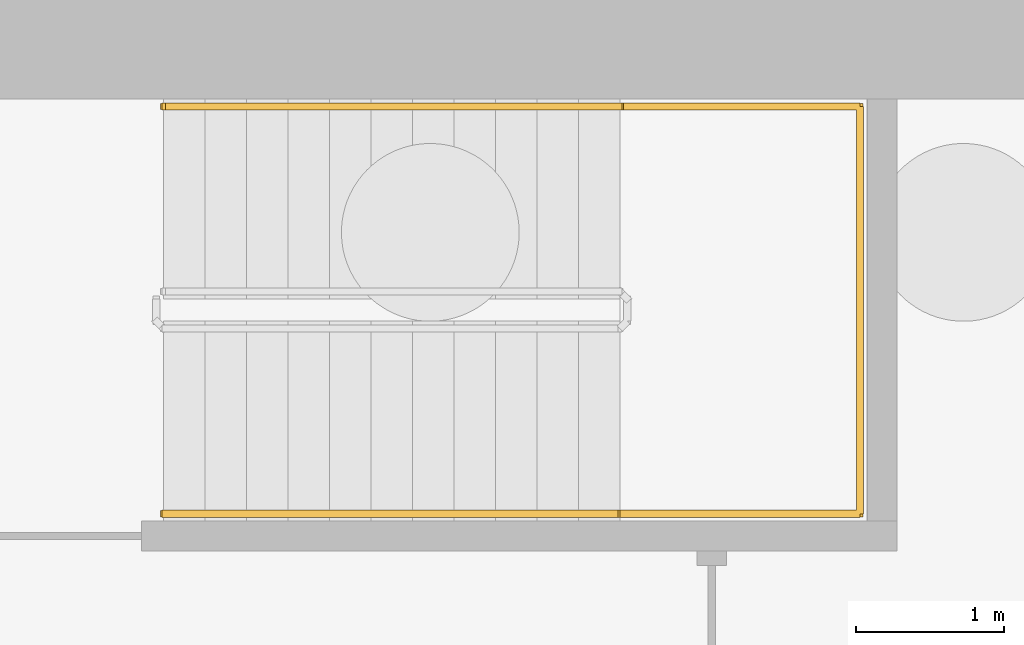
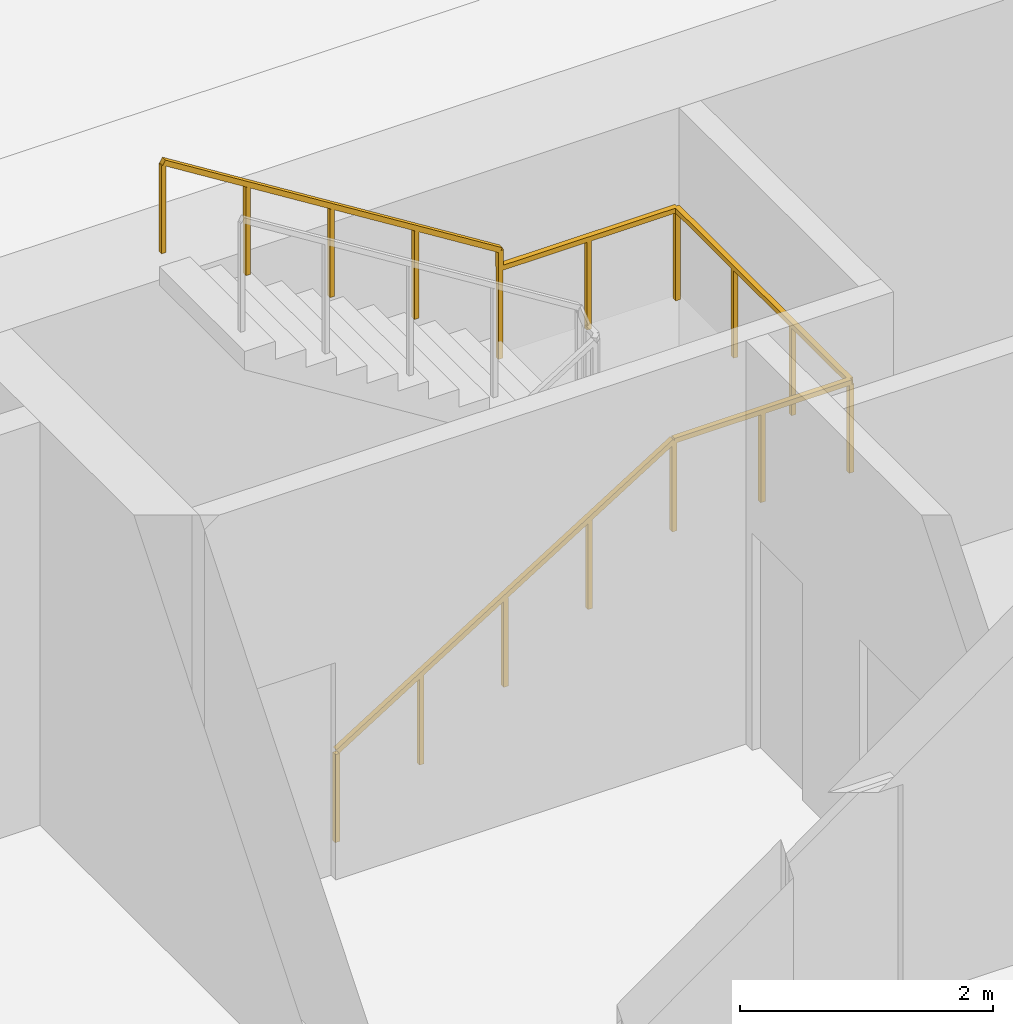
# One storey, part 10 of 11: 1 railing.
"""IFC4 building model written with IfcOpenShell, lengths in metres."""

from ifc_helpers import new_model, si_unit, direction, frame, origin, origin_2d, place, context, subcontext, project, spatial, rectangle, extrude, material, type_object, element, save


model = new_model("IFC4")

# Units and contexts
model_context = context("Model", 3, precision=1e-05, world=origin(), true_north=direction((0.0, 1.0)))
body_context = subcontext(model_context, "Body", "Model", "MODEL_VIEW")
ifc_project = project(units=[si_unit("LENGTHUNIT", "METRE"), si_unit("AREAUNIT", "SQUARE_METRE"), si_unit("VOLUMEUNIT", "CUBIC_METRE"), si_unit("PLANEANGLEUNIT", "RADIAN"), si_unit("MASSUNIT", "GRAM", prefix="KILO")], contexts=[model_context])

# Site, building, storey
site_placement = place(None, origin())
site = spatial("IfcSite", under=ifc_project, at=site_placement, CompositionType="ELEMENT")
building_placement = place(site_placement, origin())
building = spatial("IfcBuilding", under=site, at=building_placement, Name="Perihelion Cross Residences", CompositionType="ELEMENT")
storey_placement = place(building_placement, frame((0.0, 0.0, -17.10009765625)))
storey = spatial("IfcBuildingStorey", under=building, at=storey_placement, Name="B4", CompositionType="ELEMENT", Elevation=-17.10009765625)

# Railing
ifc_material = material(Name="Stainless steel", Category="steel")
railing_type = type_object("IfcRailingType", Name="Stair handrail 900", PredefinedType="HANDRAIL", material=ifc_material)
railing_placement = place(storey_placement, frame((23.39990234375, 5.300048828125, 0.175048828125)))
element("IfcRailing", 1, at=railing_placement, inside=storey, type_object=railing_type, Name="B4 ST-E1 stair handrail 1", PredefinedType="HANDRAIL", context=body_context, shape_type="SweptSolid", body=[
    extrude(rectangle(XDim=0.048095703125, YDim=0.048095703125, at=origin_2d()), frame((0.0, 0.0, 0.8759765625), z_axis=(0.847998304005, 0.0, 0.529998940003), x_axis=(0.0, 1.0, 0.0)), (0.0, 0.0, 1.0), 3.632080078125),
    extrude(rectangle(XDim=0.048095703125, YDim=0.048095703125, at=origin_2d()), frame((3.080078125, 0.0, 2.80078125), z_axis=(1.0, 0.0, 0.0), x_axis=(0.0, 1.0, 0.0)), (0.0, 0.0, 1.0), 1.6201171875),
    extrude(rectangle(XDim=0.048095703125, YDim=0.048095703125, at=origin_2d()), frame((4.7001953125, 0.0, 2.80078125), z_axis=(0.0, 1.0, 0.0), x_axis=(-1.0, 0.0, 0.0)), (0.0, 0.0, 1.0), 2.75),
    extrude(rectangle(XDim=0.048095703125, YDim=0.048095703125, at=origin_2d()), frame((4.7001953125, 2.75, 2.80078125), z_axis=(-1.0, 0.0, 0.0), x_axis=(0.0, -1.0, 0.0)), (0.0, 0.0, 1.0), 1.6201171875),
    extrude(rectangle(XDim=0.048095703125, YDim=0.048095703125, at=origin_2d()), frame((3.080078125, 2.75, 2.80078125), z_axis=(0.0, 0.0, 1.0), x_axis=(1.0, 0.0, 0.0)), (0.0, 0.0, 1.0), 0.175048828125),
    extrude(rectangle(XDim=0.048095703125, YDim=0.048095703125, at=origin_2d()), frame((3.080078125, 2.75, 2.97607421875), z_axis=(-0.847998304005, 0.0, 0.529998940003), x_axis=(0.0, -1.0, 0.0)), (0.0, 0.0, 1.0), 3.632080078125),
    extrude(rectangle(XDim=0.0419921875, YDim=0.0419921875, at=origin_2d()), origin(), (0.0, 0.0, 1.0), 0.851806640625),
    extrude(rectangle(XDim=0.0419921875, YDim=0.0419921875, at=origin_2d()), frame((0.77001953125, 0.0, 0.481201171875)), (0.0, 0.0, 1.0), 0.851806640625),
    extrude(rectangle(XDim=0.0419921875, YDim=0.0419921875, at=origin_2d()), frame((1.5400390625, 0.0, 0.96240234375)), (0.0, 0.0, 1.0), 0.851806640625),
    extrude(rectangle(XDim=0.0419921875, YDim=0.0419921875, at=origin_2d()), frame((2.31005859375, 0.0, 1.44384765625)), (0.0, 0.0, 1.0), 0.851806640625),
    extrude(rectangle(XDim=0.0419921875, YDim=0.0419921875, at=origin_2d()), frame((3.080078125, 0.0, 1.925048828125)), (0.0, 0.0, 1.0), 0.851806640625),
    extrude(rectangle(XDim=0.0419921875, YDim=0.0419921875, at=origin_2d()), frame((3.89013671875, 0.0, 1.925048828125)), (0.0, 0.0, 1.0), 0.851806640625),
    extrude(rectangle(XDim=0.0419921875, YDim=0.0419921875, at=origin_2d()), frame((4.7001953125, 0.0, 1.925048828125)), (0.0, 0.0, 1.0), 0.851806640625),
    extrude(rectangle(XDim=0.0419921875, YDim=0.0419921875, at=origin_2d()), frame((4.7001953125, 0.916748046875, 1.925048828125)), (0.0, 0.0, 1.0), 0.851806640625),
    extrude(rectangle(XDim=0.0419921875, YDim=0.0419921875, at=origin_2d()), frame((4.7001953125, 1.833251953125, 1.925048828125)), (0.0, 0.0, 1.0), 0.851806640625),
    extrude(rectangle(XDim=0.0419921875, YDim=0.0419921875, at=origin_2d()), frame((4.7001953125, 2.75, 1.925048828125)), (0.0, 0.0, 1.0), 0.851806640625),
    extrude(rectangle(XDim=0.0419921875, YDim=0.0419921875, at=origin_2d()), frame((3.89013671875, 2.75, 1.925048828125)), (0.0, 0.0, 1.0), 0.851806640625),
    extrude(rectangle(XDim=0.0419921875, YDim=0.0419921875, at=origin_2d()), frame((3.080078125, 2.75, 1.925048828125)), (0.0, 0.0, 1.0), 0.851806640625),
    extrude(rectangle(XDim=0.0419921875, YDim=0.0419921875, at=origin_2d()), frame((3.080078125, 2.75, 2.10009765625)), (0.0, 0.0, 1.0), 0.851806640625),
    extrude(rectangle(XDim=0.0419921875, YDim=0.0419921875, at=origin_2d()), frame((2.31005859375, 2.75, 2.581298828125)), (0.0, 0.0, 1.0), 0.851806640625),
    extrude(rectangle(XDim=0.0419921875, YDim=0.0419921875, at=origin_2d()), frame((1.5400390625, 2.75, 3.0625)), (0.0, 0.0, 1.0), 0.851806640625),
    extrude(rectangle(XDim=0.0419921875, YDim=0.0419921875, at=origin_2d()), frame((0.77001953125, 2.75, 3.5439453125)), (0.0, 0.0, 1.0), 0.851806640625),
    extrude(rectangle(XDim=0.0419921875, YDim=0.0419921875, at=origin_2d()), frame((0.0, 2.75, 4.025146484375)), (0.0, 0.0, 1.0), 0.851806640625),
])

save(model, "model.ifc")
